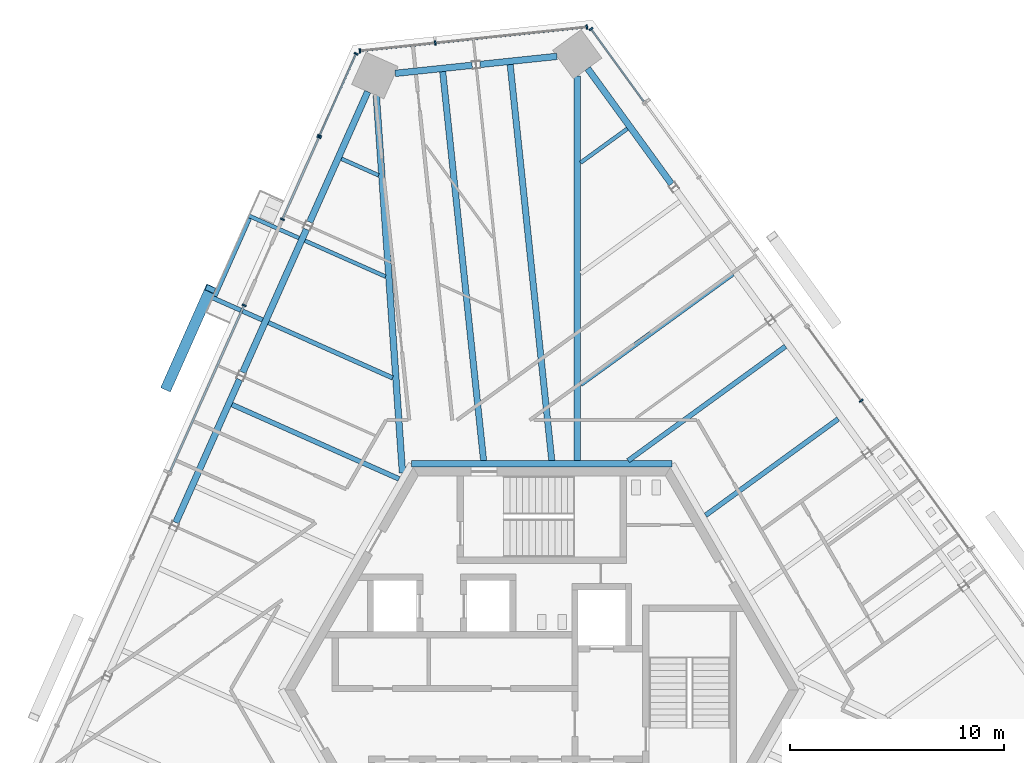
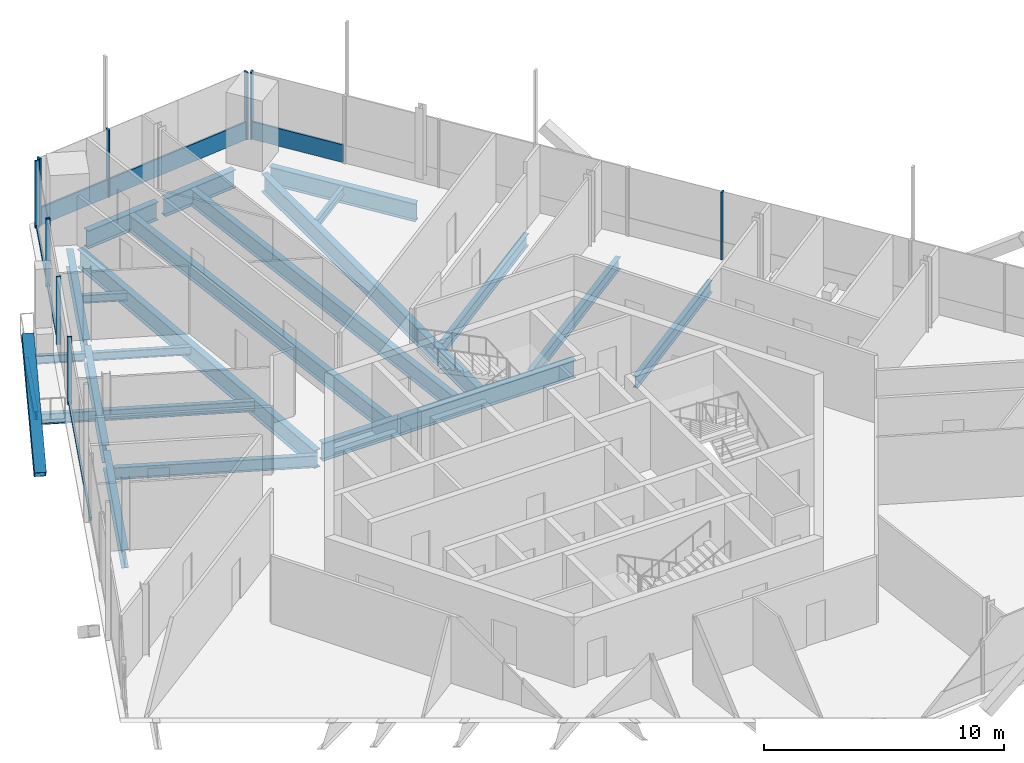
# One storey, part 8 of 21: 22 beams, 17 members, 6 elements without a shape of their own.
"""IFC4 building model written with IfcOpenShell, lengths in metres."""

import ifcopenshell
import ifcopenshell.guid

model = None  # the IFC model being written
_history = None  # IfcOwnerHistory: only IFC2X3 demands one
_inside = {}  # id of a spatial element -> (the spatial element, [elements in it])
_under = {}  # id of a project, library or spatial element -> (it, [spatial elements below it])
_declared = {}  # id of a project -> (the project, [libraries it declares])
_typed = {}  # id of a type object -> (the type object, [elements of that type])
_made_of = {}  # id of a material, layer set ... -> (it, [elements and type objects made of it])


def new_model(schema):
    """Start an empty IFC model of exactly this schema.

    Asked for "IFC4X3", IfcOpenShell would pick the latest addendum, in which some entities
    have other attributes; the version numbers below select the first issue.
    IFC2X3 requires an IfcOwnerHistory on every rooted entity: one is made here for all.
    """
    global model, _history
    if schema == "IFC4X3":
        model = ifcopenshell.file(schema_version=(4, 3, 0, 0))
    else:
        model = ifcopenshell.file(schema=schema)
    _inside.clear()
    _under.clear()
    _declared.clear()
    _typed.clear()
    _made_of.clear()
    _history = None
    if model.schema == "IFC2X3":
        org = make("IfcOrganization", Name="unknown")
        user = make(
            "IfcPersonAndOrganization",
            ThePerson=make("IfcPerson", FamilyName="unknown"),
            TheOrganization=org,
        )
        app = make(
            "IfcApplication",
            ApplicationDeveloper=org,
            Version="unknown",
            ApplicationFullName="unknown",
            ApplicationIdentifier="unknown",
        )
        _history = make(
            "IfcOwnerHistory",
            OwningUser=user,
            OwningApplication=app,
            ChangeAction="ADDED",
            CreationDate=0,
        )
    return model


def make(cls, **values):
    """One entity of the class cls with the attributes given. An attribute that is None is left unset."""
    return model.create_entity(
        cls, **{name: value for name, value in values.items() if value is not None}
    )


def rooted(cls, **values):
    """An entity with a GlobalId (a new one), such as an element, a storey or a relation."""
    return make(cls, GlobalId=ifcopenshell.guid.new(), OwnerHistory=_history, **values)


def si_unit(unit_type, name, prefix=None):
    """IfcSIUnit, for example si_unit("LENGTHUNIT", "METRE", prefix="MILLI")."""
    return make("IfcSIUnit", UnitType=unit_type, Prefix=prefix, Name=name)


def assignment(units):
    """IfcUnitAssignment: the units of a project."""
    return None if units is None else make("IfcUnitAssignment", Units=units)


def point(xyz):
    """IfcCartesianPoint."""
    return None if xyz is None else make("IfcCartesianPoint", Coordinates=xyz)


def direction(xyz):
    """IfcDirection."""
    return None if xyz is None else make("IfcDirection", DirectionRatios=xyz)


def frame(location, z_axis=None, x_axis=None):
    """IfcAxis2Placement3D, a coordinate frame: its origin and axes. An axis left out is left unset."""
    return make(
        "IfcAxis2Placement3D",
        Location=point(location),
        Axis=direction(z_axis),
        RefDirection=direction(x_axis),
    )


def frame_2d(location, x_axis=None):
    """IfcAxis2Placement2D, a coordinate frame in the plane: its origin and x axis."""
    return make(
        "IfcAxis2Placement2D", Location=point(location), RefDirection=direction(x_axis)
    )


def origin():
    """The frame at (0, 0, 0) with its axes left unset."""
    return frame((0.0, 0.0, 0.0))


def origin_2d():
    """The frame at (0, 0) in the plane with its x axis left unset."""
    return frame_2d((0.0, 0.0))


def place(relative_to, where):
    """IfcLocalPlacement: puts the frame where relative to a parent placement (None: the world)."""
    return make(
        "IfcLocalPlacement", PlacementRelTo=relative_to, RelativePlacement=where
    )


def context(
    kind, dimensions, precision=None, world=None, true_north=None, identifier=None
):
    """IfcGeometricRepresentationContext, for example the 3D "Model" context."""
    return make(
        "IfcGeometricRepresentationContext",
        ContextIdentifier=identifier,
        ContextType=kind,
        CoordinateSpaceDimension=dimensions,
        Precision=precision,
        WorldCoordinateSystem=world,
        TrueNorth=true_north,
    )


def subcontext(parent, identifier, kind, view, scale=None):
    """IfcGeometricRepresentationSubContext, for example "Body" below "Model"."""
    return make(
        "IfcGeometricRepresentationSubContext",
        ContextIdentifier=identifier,
        ContextType=kind,
        ParentContext=parent,
        TargetScale=scale,
        TargetView=view,
    )


def project(units=None, contexts=None):
    """IfcProject with its units and contexts."""
    return rooted(
        "IfcProject",
        Name="project",
        RepresentationContexts=contexts,
        UnitsInContext=assignment(units),
    )


def spatial(cls, under=None, at=None, **own):
    """A site, building, storey or space (cls), placed at a placement, below another one or the project."""
    s = rooted(cls, ObjectPlacement=at, **own)
    if under is not None:
        _under.setdefault(under.id(), (under, []))[1].append(s)
    return s


def profile(cls, at=None, kind="AREA", **sizes):
    """A parametric profile (cls). Its sizes go by their IFC names, for example OverallWidth=200.0."""
    return make(cls, ProfileType=kind, Position=at, **sizes)


def rectangle(**sizes):
    """IfcRectangleProfileDef."""
    return profile("IfcRectangleProfileDef", **sizes)


def hollow_rectangle(**sizes):
    """IfcRectangleHollowProfileDef."""
    return profile("IfcRectangleHollowProfileDef", **sizes)


def i_section(**sizes):
    """IfcIShapeProfileDef."""
    return profile("IfcIShapeProfileDef", **sizes)


def extrude(swept, where, along, depth):
    """IfcExtrudedAreaSolid: the profile swept, set in the frame where, extruded along a direction by depth."""
    return make(
        "IfcExtrudedAreaSolid",
        SweptArea=swept,
        Position=where,
        ExtrudedDirection=direction(along),
        Depth=depth,
    )


def shape(context_of_items, identifier, shape_type, items):
    """IfcShapeRepresentation: the items that make up one representation, for example the "Body"."""
    return make(
        "IfcShapeRepresentation",
        ContextOfItems=context_of_items,
        RepresentationIdentifier=identifier,
        RepresentationType=shape_type,
        Items=items,
    )


def source(mapping_origin, context_of_items, identifier, shape_type, items):
    """IfcRepresentationMap: a shape defined once, which mapped items show again and again."""
    return make(
        "IfcRepresentationMap",
        MappingOrigin=mapping_origin,
        MappedRepresentation=shape(context_of_items, identifier, shape_type, items),
    )


def transform(
    local_origin,
    x_axis=None,
    y_axis=None,
    z_axis=None,
    scale=None,
    scale2=None,
    scale3=None,
    uniform=True,
):
    """IfcCartesianTransformationOperator3D, or its non-uniform kind. x_axis, y_axis, z_axis: its Axis1, 2, 3."""
    if uniform:
        return make(
            "IfcCartesianTransformationOperator3D",
            Axis1=direction(x_axis),
            Axis2=direction(y_axis),
            LocalOrigin=point(local_origin),
            Scale=scale,
            Axis3=direction(z_axis),
        )
    return make(
        "IfcCartesianTransformationOperator3DnonUniform",
        Axis1=direction(x_axis),
        Axis2=direction(y_axis),
        LocalOrigin=point(local_origin),
        Scale=scale,
        Axis3=direction(z_axis),
        Scale2=scale2,
        Scale3=scale3,
    )


def mapped(mapping_source, mapping_target):
    """IfcMappedItem: shows the shape of a source again, moved by a transform."""
    return make(
        "IfcMappedItem", MappingSource=mapping_source, MappingTarget=mapping_target
    )


def material(Name=None, Category=None):
    """IfcMaterial."""
    return make("IfcMaterial", Name=Name, Category=Category)


def material_profile(
    of_material, cross_section, Name=None, Category=None, Priority=None
):
    """IfcMaterialProfile: a cross section and its material."""
    return make(
        "IfcMaterialProfile",
        Name=Name,
        Material=of_material,
        Profile=cross_section,
        Priority=Priority,
        Category=Category,
    )


def profile_set(profiles, Name=None, composite=None):
    """IfcMaterialProfileSet."""
    return make(
        "IfcMaterialProfileSet",
        Name=Name,
        MaterialProfiles=profiles,
        CompositeProfile=composite,
    )


def made_of(thing, what):
    """Note that an element or type object is made of a material, layer set ...; save() writes the relation."""
    if what is not None:
        _made_of.setdefault(what.id(), (what, []))[1].append(thing)
    return thing


def type_object(cls, material=None, **own):
    """A type object (cls), such as IfcWallType, which elements share."""
    return made_of(rooted(cls, **own), material)


def element(
    cls,
    number,
    at=None,
    inside=None,
    cuts=None,
    type_object=None,
    material=None,
    context=None,
    identifier="Body",
    shape_type=None,
    held_by="IfcProductDefinitionShape",
    body=None,
    shapes=None,
    **own,
):
    """One element of the class cls, such as IfcWall. Its Tag is "e" and its number.

    at: its placement. inside: the storey or other place that contains it. cuts: it is an
    opening in that element (IfcRelVoidsElement). A single representation is given by context,
    identifier, shape_type and body (its items); several are given by shapes. held_by: the class
    of the entity that holds the representations. save() writes the other relations.
    """
    e = rooted(cls, Tag="e%d" % number, ObjectPlacement=at, **own)
    if body is not None:
        shapes = [shape(context, identifier, shape_type, body)]
    if shapes is not None:
        e.Representation = make(held_by, Representations=shapes)
    if inside is not None:
        _inside.setdefault(inside.id(), (inside, []))[1].append(e)
    if cuts is not None:
        rooted(
            "IfcRelVoidsElement", RelatingBuildingElement=cuts, RelatedOpeningElement=e
        )
    if type_object is not None:
        _typed.setdefault(type_object.id(), (type_object, []))[1].append(e)
    return made_of(e, material)


def aggregate(whole, parts):
    """IfcRelAggregates: a whole, such as a stair, and the parts it consists of."""
    return rooted("IfcRelAggregates", RelatingObject=whole, RelatedObjects=parts)


def save(model, path):
    """Write the relations noted so far, then the file.

    IfcRelAggregates (storeys below a building ...), IfcRelContainedInSpatialStructure (elements
    in a storey), IfcRelDefinesByType, IfcRelAssociatesMaterial and IfcRelDeclares: one each for
    every whole, place, type object, material and project.
    """
    for whole, parts in _under.values():
        aggregate(whole, parts)
    for where, things in _inside.values():
        rooted(
            "IfcRelContainedInSpatialStructure",
            RelatedElements=things,
            RelatingStructure=where,
        )
    for kind, things in _typed.values():
        rooted("IfcRelDefinesByType", RelatedObjects=things, RelatingType=kind)
    for what, things in _made_of.values():
        rooted("IfcRelAssociatesMaterial", RelatedObjects=things, RelatingMaterial=what)
    for by, libraries in _declared.values():
        rooted("IfcRelDeclares", RelatingContext=by, RelatedDefinitions=libraries)
    model.write(path)


model = new_model("IFC4")

# Units and contexts
model_context = context("Model", 3, precision=1e-05, world=origin(), true_north=direction((0.0, 1.0)))
body_context = subcontext(model_context, "Body", "Model", "MODEL_VIEW")
ifc_project = project(units=[si_unit("LENGTHUNIT", "METRE"), si_unit("AREAUNIT", "SQUARE_METRE"), si_unit("VOLUMEUNIT", "CUBIC_METRE"), si_unit("PLANEANGLEUNIT", "RADIAN"), si_unit("MASSUNIT", "GRAM", prefix="KILO")], contexts=[model_context])

# Site, building, storey
site_placement = place(None, origin())
site = spatial("IfcSite", under=ifc_project, at=site_placement, CompositionType="ELEMENT")
building_placement = place(site_placement, origin())
building = spatial("IfcBuilding", under=site, at=building_placement, Name="Triune Harvest Tower", CompositionType="ELEMENT")
storey_placement = place(building_placement, frame((0.0, 0.0, 241.300048828125)))
storey = spatial("IfcBuildingStorey", under=building, at=storey_placement, Name="L63", CompositionType="ELEMENT", Elevation=241.300048828125)

# Beams
ifc_material_1 = material(Name="Steel ASTM A992 Gr 50", Category="steel")
ifc_material_profile_1 = material_profile(ifc_material_1, i_section(OverallWidth=0.180908203125, OverallDepth=0.41650390625, WebThickness=0.010986328125, FlangeThickness=0.01806640625, at=origin_2d()), Name="W16x57")
ifc_profile_set_1 = profile_set([ifc_material_profile_1], Name="Steel ASTM A992 Gr 50")
beam_type_1 = type_object("IfcBeamType", Name="BE-1 balcony edge beam W16x57", PredefinedType="BEAM", material=ifc_profile_set_1)
beam_1_placement = place(storey_placement, frame((-15.262451171875, 18.373291015625, -0.368408203125), z_axis=(0.406756694738, 0.913536529803, 0.0), x_axis=(-0.913536529803, 0.406756694738, 0.0)))
element("IfcBeam", 1, at=beam_1_placement, inside=storey, type_object=beam_type_1, Name="Balcony edge beam B6-F3 L63.3", PredefinedType="BEAM", context=body_context, shape_type="SweptSolid", body=[
    extrude(i_section(OverallWidth=0.180908203125, OverallDepth=0.41650390625, WebThickness=0.010986328125, FlangeThickness=0.01806640625, at=origin_2d()), origin(), (0.0, 0.0, 1.0), 3.9931640625),
])
ifc_material_2 = material(Name="Steel ASTM A992 Gr 50", Category="steel")
ifc_material_profile_2 = material_profile(ifc_material_2, i_section(OverallWidth=0.180908203125, OverallDepth=0.41650390625, WebThickness=0.010986328125, FlangeThickness=0.01806640625, at=origin_2d()), Name="W16x57")
ifc_profile_set_2 = profile_set([ifc_material_profile_2], Name="Steel ASTM A992 Gr 50")
beam_type_2 = type_object("IfcBeamType", Name="BJ-1 Balcony cantilever joist W16x57", PredefinedType="JOIST", material=ifc_profile_set_2)
beam_2_placement = place(storey_placement, frame((-11.33984375, 21.096923828125, -0.368408203125), z_axis=(-0.913548492099, 0.406729827507, 0.0), x_axis=(-0.406729827507, -0.913548492099, 0.0)))
element("IfcBeam", 2, at=beam_2_placement, inside=storey, type_object=beam_type_2, Name="Balcony cantilever joist B6-F3 L63.3a", PredefinedType="JOIST", context=body_context, shape_type="SweptSolid", body=[
    extrude(i_section(OverallWidth=0.180908203125, OverallDepth=0.41650390625, WebThickness=0.010986328125, FlangeThickness=0.01806640625, at=origin_2d()), origin(), (0.0, 0.0, 1.0), 2.566162109375),
])
ifc_material_3 = material(Name="Steel ASTM A992 Gr 50", Category="steel")
ifc_material_profile_3 = material_profile(ifc_material_3, i_section(OverallWidth=0.2099609375, OverallDepth=0.535888671875, WebThickness=0.010986328125, FlangeThickness=0.017333984375, at=origin_2d()), Name="W21x68")
ifc_profile_set_3 = profile_set([ifc_material_profile_3], Name="Steel ASTM A992 Gr 50")
beam_type_3 = type_object("IfcBeamType", Name="BJ-2 Balcony cantilever joist W21x68", PredefinedType="JOIST", material=ifc_profile_set_3)
beam_3_placement = place(storey_placement, frame((-13.04345703125, 17.2705078125, -0.427978515625), z_axis=(-0.913548492099, 0.406729827507, 0.0), x_axis=(-0.406729827507, -0.913548492099, 0.0)))
element("IfcBeam", 3, at=beam_3_placement, inside=storey, type_object=beam_type_3, Name="Balcony cantilever joist B6-F3 L63.3b", PredefinedType="JOIST", context=body_context, shape_type="SweptSolid", body=[
    extrude(i_section(OverallWidth=0.2099609375, OverallDepth=0.535888671875, WebThickness=0.010986328125, FlangeThickness=0.017333984375, at=origin_2d()), origin(), (0.0, 0.0, 1.0), 2.566162109375),
])
ifc_material_4 = material(Name="Steel ASTM A992 Gr 50", Category="steel")
ifc_material_profile_4 = material_profile(ifc_material_4, i_section(OverallWidth=0.3046875, OverallDepth=0.914306640625, WebThickness=0.0166015625, FlangeThickness=0.02587890625, at=origin_2d()), Name="W36x160")
ifc_profile_set_4 = profile_set([ifc_material_profile_4], Name="Steel ASTM A992 Gr 50")
beam_type_4 = type_object("IfcBeamType", Name="CG-1 Core ring girder W36x160", PredefinedType="BEAM", material=ifc_profile_set_4)
shared_shape_1 = source(origin(), body_context, "Body", "SweptSolid", [
    extrude(i_section(OverallWidth=0.3046875, OverallDepth=0.914306640625, WebThickness=0.0166015625, FlangeThickness=0.02587890625, at=origin_2d()), origin(), (0.0, 0.0, 1.0), 12.17578125),
])
beam_4_placement = place(storey_placement, frame((6.087890625, 10.544677734375, -0.6171875), z_axis=(-1.0, 0.0, 0.0), x_axis=(0.0, -1.0, 0.0)))
element("IfcBeam", 4, at=beam_4_placement, inside=storey, type_object=beam_type_4, Name="beam/L63/CG2", PredefinedType="BEAM", context=body_context, shape_type="MappedRepresentation", body=[
    mapped(shared_shape_1, transform((0.0, 0.0, 0.0), scale=1.0)),
])
ifc_material_5 = material(Name="Steel ASTM A992 Gr 50", Category="steel")
ifc_material_profile_5 = material_profile(ifc_material_5, i_section(OverallWidth=0.3046875, OverallDepth=0.914306640625, WebThickness=0.0166015625, FlangeThickness=0.02587890625, at=origin_2d()), Name="W36x160")
ifc_profile_set_5 = profile_set([ifc_material_profile_5], Name="Steel ASTM A992 Gr 50")
beam_type_5 = type_object("IfcBeamType", Name="SB-1 Spandrel beam W36x160", PredefinedType="SPANDREL", material=ifc_profile_set_5)
shared_shape_2 = source(origin(), body_context, "Body", "SweptSolid", [
    extrude(i_section(OverallWidth=0.3046875, OverallDepth=0.914306640625, WebThickness=0.0166015625, FlangeThickness=0.02587890625, at=origin_2d()), origin(), (0.0, 0.0, 1.0), 6.67041015625),
])
beam_5_placement = place(storey_placement, frame((6.06396484375, 23.617919921875, -0.6171875), z_axis=(-0.587797324645, 0.80900822316, 0.0), x_axis=(-0.80900822316, -0.587797324645, 0.0)))
element("IfcBeam", 5, at=beam_5_placement, inside=storey, type_object=beam_type_5, Name="beam/L63/SB6", PredefinedType="SPANDREL", context=body_context, shape_type="MappedRepresentation", body=[
    mapped(shared_shape_2, transform((0.0, 0.0, 0.0), scale=1.0)),
])
shared_shape_3 = source(origin(), body_context, "Body", "SweptSolid", [
    extrude(i_section(OverallWidth=0.3046875, OverallDepth=0.914306640625, WebThickness=0.0166015625, FlangeThickness=0.02587890625, at=origin_2d()), origin(), (0.0, 0.0, 1.0), 7.31103515625),
])
beam_6_placement = place(storey_placement, frame((-14.114990234375, 14.489013671875, -0.6171875), z_axis=(-0.406761135511, -0.913534552514, 0.0), x_axis=(0.913534552514, -0.406761135511, 0.0)))
element("IfcBeam", 6, at=beam_6_placement, inside=storey, type_object=beam_type_5, Name="beam/L63/SB11", PredefinedType="SPANDREL", context=body_context, shape_type="MappedRepresentation", body=[
    mapped(shared_shape_3, transform((0.0, 0.0, 0.0), scale=1.0)),
])
shared_shape_4 = source(origin(), body_context, "Body", "SweptSolid", [
    extrude(i_section(OverallWidth=0.3046875, OverallDepth=0.914306640625, WebThickness=0.0166015625, FlangeThickness=0.02587890625, at=origin_2d()), origin(), (0.0, 0.0, 1.0), 3.614990234375),
])
for number, where, z_axis, x_axis, name in (
    (7, (0.710693359375, 29.58203125, -0.6171875), (-0.994520245169, -0.104544162673, 0.0), (0.104544162673, -0.994520245169, 0.0), "beam/L63/SB7"),
    (8, (-3.25048828125, 29.165771484375, -0.6171875), (-0.994520245169, -0.104544162673, 0.0), (0.104544162673, -0.994520245169, 0.0), "beam/L63/SB8"),
):
    element("IfcBeam", number, at=place(storey_placement, frame(where, z_axis=z_axis, x_axis=x_axis)), inside=storey, type_object=beam_type_5, Name=name, PredefinedType="SPANDREL", context=body_context, shape_type="MappedRepresentation", body=[
        mapped(shared_shape_4, transform((0.0, 0.0, 0.0), scale=1.0)),
    ])
shared_shape_5 = source(origin(), body_context, "Body", "SweptSolid", [
    extrude(i_section(OverallWidth=0.3046875, OverallDepth=0.914306640625, WebThickness=0.0166015625, FlangeThickness=0.02587890625, at=origin_2d()), origin(), (0.0, 0.0, 1.0), 6.670166015625),
])
beam_7_placement = place(storey_placement, frame((-8.128662109375, 27.9345703125, -0.6171875), z_axis=(-0.406753053854, -0.913538150917, 0.0), x_axis=(0.913538150917, -0.406753053854, 0.0)))
element("IfcBeam", 9, at=beam_7_placement, inside=storey, type_object=beam_type_5, Name="beam/L63/SB9", PredefinedType="SPANDREL", context=body_context, shape_type="MappedRepresentation", body=[
    mapped(shared_shape_5, transform((0.0, 0.0, 0.0), scale=1.0)),
])
shared_shape_6 = source(origin(), body_context, "Body", "SweptSolid", [
    extrude(i_section(OverallWidth=0.3046875, OverallDepth=0.914306640625, WebThickness=0.0166015625, FlangeThickness=0.02587890625, at=origin_2d()), origin(), (0.0, 0.0, 1.0), 7.311279296875),
])
beam_8_placement = place(storey_placement, frame((-10.991455078125, 21.504638671875, -0.6171875), z_axis=(-0.406720859208, -0.91355248491, 0.0), x_axis=(0.91355248491, -0.406720859208, 0.0)))
element("IfcBeam", 10, at=beam_8_placement, inside=storey, type_object=beam_type_5, Name="beam/L63/SB10", PredefinedType="SPANDREL", context=body_context, shape_type="MappedRepresentation", body=[
    mapped(shared_shape_6, transform((0.0, 0.0, 0.0), scale=1.0)),
])
ifc_material_6 = material(Name="Steel ASTM A992 Gr 50", Category="steel")
ifc_material_profile_6 = material_profile(ifc_material_6, i_section(OverallWidth=0.3046875, OverallDepth=0.914306640625, WebThickness=0.0166015625, FlangeThickness=0.02587890625, at=origin_2d()), Name="W36x160")
ifc_profile_set_6 = profile_set([ifc_material_profile_6], Name="Steel ASTM A992 Gr 50")
beam_type_6 = type_object("IfcBeamType", Name="HG-3 Hip girder W36x160", PredefinedType="BEAM", material=ifc_profile_set_6)
shared_shape_7 = source(origin(), body_context, "Body", "SweptSolid", [
    extrude(i_section(OverallWidth=0.3046875, OverallDepth=0.914306640625, WebThickness=0.0166015625, FlangeThickness=0.02587890625, at=origin_2d()), origin(), (0.0, 0.0, 1.0), 17.96484375),
])
beam_9_placement = place(storey_placement, frame((1.658203125, 28.661865234375, -0.6171875), z_axis=(0.0, -1.0, 0.0), x_axis=(1.0, 0.0, 0.0)))
element("IfcBeam", 11, at=beam_9_placement, inside=storey, type_object=beam_type_6, Name="beam/L63/HG3", PredefinedType="BEAM", context=body_context, shape_type="MappedRepresentation", body=[
    mapped(shared_shape_7, transform((0.0, 0.0, 0.0), scale=1.0)),
])
shared_shape_8 = source(origin(), body_context, "Body", "SweptSolid", [
    extrude(i_section(OverallWidth=0.3046875, OverallDepth=0.914306640625, WebThickness=0.0166015625, FlangeThickness=0.02587890625, at=origin_2d()), origin(), (0.0, 0.0, 1.0), 17.6748046875),
])
beam_10_placement = place(storey_placement, frame((-7.728515625, 27.756591796875, -0.6171875), z_axis=(0.069119702871, -0.997608373399, 0.0), x_axis=(0.997608373399, 0.069119702871, 0.0)))
element("IfcBeam", 12, at=beam_10_placement, inside=storey, type_object=beam_type_6, Name="beam/L63/HG4", PredefinedType="BEAM", context=body_context, shape_type="MappedRepresentation", body=[
    mapped(shared_shape_8, transform((0.0, 0.0, 0.0), scale=1.0)),
])
ifc_material_7 = material(Name="Steel ASTM A992 Gr 50", Category="steel")
ifc_material_profile_7 = material_profile(ifc_material_7, i_section(OverallWidth=0.2099609375, OverallDepth=0.535888671875, WebThickness=0.010986328125, FlangeThickness=0.017333984375, at=origin_2d()), Name="W21x68")
ifc_profile_set_7 = profile_set([ifc_material_profile_7], Name="Steel ASTM A992 Gr 50")
beam_type_7 = type_object("IfcBeamType", Name="JT-2 Floor joist W21x68", PredefinedType="JOIST", material=ifc_profile_set_7)
shared_shape_9 = source(origin(), body_context, "Body", "SweptSolid", [
    extrude(i_section(OverallWidth=0.2099609375, OverallDepth=0.535888671875, WebThickness=0.010986328125, FlangeThickness=0.017333984375, at=origin_2d()), origin(), (0.0, 0.0, 1.0), 6.346435546875),
])
beam_11_placement = place(storey_placement, frame((-12.76513671875, 17.146484375, -0.427978515625), z_axis=(0.913549614508, -0.406727306476, 0.0), x_axis=(0.406727306476, 0.913549614508, 0.0)))
element("IfcBeam", 13, at=beam_11_placement, inside=storey, type_object=beam_type_7, Name="beam/L63/JT15", PredefinedType="JOIST", context=body_context, shape_type="MappedRepresentation", body=[
    mapped(shared_shape_9, transform((0.0, 0.0, 0.0), scale=1.0)),
])
ifc_material_8 = material(Name="Steel ASTM A992 Gr 50", Category="steel")
ifc_material_profile_8 = material_profile(ifc_material_8, i_section(OverallWidth=0.22900390625, OverallDepth=0.612060546875, WebThickness=0.011962890625, FlangeThickness=0.01953125, at=origin_2d()), Name="W24x84")
ifc_profile_set_8 = profile_set([ifc_material_profile_8], Name="Steel ASTM A992 Gr 50")
beam_type_8 = type_object("IfcBeamType", Name="JT-3 Floor joist W24x84", PredefinedType="JOIST", material=ifc_profile_set_8)
shared_shape_10 = source(origin(), body_context, "Body", "SweptSolid", [
    extrude(i_section(OverallWidth=0.22900390625, OverallDepth=0.612060546875, WebThickness=0.011962890625, FlangeThickness=0.01953125, at=origin_2d()), origin(), (0.0, 0.0, 1.0), 7.659423828125),
])
beam_12_placement = place(storey_placement, frame((13.845458984375, 12.648193359375, -0.466064453125), z_axis=(-0.809007534686, -0.587798272217, 0.0), x_axis=(0.587798272217, -0.809007534686, 0.0)))
element("IfcBeam", 14, at=beam_12_placement, inside=storey, type_object=beam_type_8, Name="beam/L63/JT6", PredefinedType="JOIST", context=body_context, shape_type="MappedRepresentation", body=[
    mapped(shared_shape_10, transform((0.0, 0.0, 0.0), scale=1.0)),
])
shared_shape_11 = source(origin(), body_context, "Body", "SweptSolid", [
    extrude(i_section(OverallWidth=0.22900390625, OverallDepth=0.612060546875, WebThickness=0.011962890625, FlangeThickness=0.01953125, at=origin_2d()), origin(), (0.0, 0.0, 1.0), 9.084716796875),
])
beam_13_placement = place(storey_placement, frame((11.38330078125, 16.036865234375, -0.466064453125), z_axis=(-0.809014901919, -0.5877881323, 0.0), x_axis=(0.5877881323, -0.809014901919, 0.0)))
element("IfcBeam", 15, at=beam_13_placement, inside=storey, type_object=beam_type_8, Name="beam/L63/JT7", PredefinedType="JOIST", context=body_context, shape_type="MappedRepresentation", body=[
    mapped(shared_shape_11, transform((0.0, 0.0, 0.0), scale=1.0)),
])
shared_shape_12 = source(origin(), body_context, "Body", "SweptSolid", [
    extrude(i_section(OverallWidth=0.22900390625, OverallDepth=0.612060546875, WebThickness=0.011962890625, FlangeThickness=0.01953125, at=origin_2d()), origin(), (0.0, 0.0, 1.0), 8.789306640625),
])
beam_14_placement = place(storey_placement, frame((8.921142578125, 19.42578125, -0.466064453125), z_axis=(-0.809011065255, -0.587793412939, 0.0), x_axis=(0.587793412939, -0.809011065255, 0.0)))
element("IfcBeam", 16, at=beam_14_placement, inside=storey, type_object=beam_type_8, Name="beam/L63/JT8", PredefinedType="JOIST", context=body_context, shape_type="MappedRepresentation", body=[
    mapped(shared_shape_12, transform((0.0, 0.0, 0.0), scale=1.0)),
])
ifc_material_9 = material(Name="Steel ASTM A992 Gr 50", Category="steel")
ifc_material_profile_9 = material_profile(ifc_material_9, i_section(OverallWidth=0.180908203125, OverallDepth=0.41650390625, WebThickness=0.010986328125, FlangeThickness=0.01806640625, at=origin_2d()), Name="W16x57")
ifc_profile_set_9 = profile_set([ifc_material_profile_9], Name="Steel ASTM A992 Gr 50")
beam_type_9 = type_object("IfcBeamType", Name="JT-1 Floor joist W16x57", PredefinedType="JOIST", material=ifc_profile_set_9)
shared_shape_13 = source(origin(), body_context, "Body", "SweptSolid", [
    extrude(i_section(OverallWidth=0.180908203125, OverallDepth=0.41650390625, WebThickness=0.010986328125, FlangeThickness=0.01806640625, at=origin_2d()), origin(), (0.0, 0.0, 1.0), 2.70263671875),
])
beam_15_placement = place(storey_placement, frame((3.9970703125, 26.203369140625, -0.368408203125), z_axis=(-0.809013338029, -0.587790284788, 0.0), x_axis=(0.587790284788, -0.809013338029, 0.0)))
element("IfcBeam", 17, at=beam_15_placement, inside=storey, type_object=beam_type_9, Name="beam/L63/JT10", PredefinedType="JOIST", context=body_context, shape_type="MappedRepresentation", body=[
    mapped(shared_shape_13, transform((0.0, 0.0, 0.0), scale=1.0)),
])
ifc_material_10 = material(Name="Steel ASTM A992 Gr 50", Category="steel")
ifc_material_profile_10 = material_profile(ifc_material_10, i_section(OverallWidth=0.2919921875, OverallDepth=0.8408203125, WebThickness=0.0146484375, FlangeThickness=0.021728515625, at=origin_2d()), Name="W33x130")
ifc_profile_set_10 = profile_set([ifc_material_profile_10], Name="Steel ASTM A992 Gr 50")
beam_type_10 = type_object("IfcBeamType", Name="JT-6 Floor joist W33x130", PredefinedType="JOIST", material=ifc_profile_set_10)
shared_shape_14 = source(origin(), body_context, "Body", "SweptSolid", [
    extrude(i_section(OverallWidth=0.2919921875, OverallDepth=0.8408203125, WebThickness=0.0146484375, FlangeThickness=0.021728515625, at=origin_2d()), origin(), (0.0, 0.0, 1.0), 18.60400390625),
])
beam_16_placement = place(storey_placement, frame((-1.476318359375, 29.198974609375, -0.58056640625), z_axis=(0.104538595675, -0.994520830357, 0.0), x_axis=(0.994520830357, 0.104538595675, 0.0)))
element("IfcBeam", 18, at=beam_16_placement, inside=storey, type_object=beam_type_10, Name="beam/L63/JT11", PredefinedType="JOIST", context=body_context, shape_type="MappedRepresentation", body=[
    mapped(shared_shape_14, transform((0.0, 0.0, 0.0), scale=1.0)),
])
shared_shape_15 = source(origin(), body_context, "Body", "SweptSolid", [
    extrude(i_section(OverallWidth=0.2919921875, OverallDepth=0.8408203125, WebThickness=0.0146484375, FlangeThickness=0.021728515625, at=origin_2d()), origin(), (0.0, 0.0, 1.0), 18.27099609375),
])
beam_17_placement = place(storey_placement, frame((-4.626708984375, 28.867919921875, -0.58056640625), z_axis=(0.104532454263, -0.99452147589, 0.0), x_axis=(0.99452147589, 0.104532454263, 0.0)))
element("IfcBeam", 19, at=beam_17_placement, inside=storey, type_object=beam_type_10, Name="beam/L63/JT12", PredefinedType="JOIST", context=body_context, shape_type="MappedRepresentation", body=[
    mapped(shared_shape_15, transform((0.0, 0.0, 0.0), scale=1.0)),
])
shared_shape_16 = source(origin(), body_context, "Body", "SweptSolid", [
    extrude(i_section(OverallWidth=0.180908203125, OverallDepth=0.41650390625, WebThickness=0.010986328125, FlangeThickness=0.01806640625, at=origin_2d()), origin(), (0.0, 0.0, 1.0), 1.899169921875),
])
beam_18_placement = place(storey_placement, frame((-9.357666015625, 24.7998046875, -0.368408203125), z_axis=(0.913535666592, -0.406758633422, 0.0), x_axis=(0.406758633422, 0.913535666592, 0.0)))
element("IfcBeam", 20, at=beam_18_placement, inside=storey, type_object=beam_type_9, Name="beam/L63/JT13", PredefinedType="JOIST", context=body_context, shape_type="MappedRepresentation", body=[
    mapped(shared_shape_16, transform((0.0, 0.0, 0.0), scale=1.0)),
])
shared_shape_17 = source(origin(), body_context, "Body", "SweptSolid", [
    extrude(i_section(OverallWidth=0.180908203125, OverallDepth=0.41650390625, WebThickness=0.010986328125, FlangeThickness=0.01806640625, at=origin_2d()), origin(), (0.0, 0.0, 1.0), 4.12255859375),
])
beam_19_placement = place(storey_placement, frame((-11.061279296875, 20.972900390625, -0.368408203125), z_axis=(0.913547607509, -0.406731814363, 0.0), x_axis=(0.406731814363, 0.913547607509, 0.0)))
element("IfcBeam", 21, at=beam_19_placement, inside=storey, type_object=beam_type_9, Name="beam/L63/JT14", PredefinedType="JOIST", context=body_context, shape_type="MappedRepresentation", body=[
    mapped(shared_shape_17, transform((0.0, 0.0, 0.0), scale=1.0)),
])
shared_shape_18 = source(origin(), body_context, "Body", "SweptSolid", [
    extrude(i_section(OverallWidth=0.22900390625, OverallDepth=0.612060546875, WebThickness=0.011962890625, FlangeThickness=0.01953125, at=origin_2d()), origin(), (0.0, 0.0, 1.0), 8.539794921875),
])
beam_20_placement = place(storey_placement, frame((-14.46875, 13.319580078125, -0.466064453125), z_axis=(0.913548460016, -0.406729899567, 0.0), x_axis=(0.406729899567, 0.913548460016, 0.0)))
element("IfcBeam", 22, at=beam_20_placement, inside=storey, type_object=beam_type_8, Name="beam/L63/JT16", PredefinedType="JOIST", context=body_context, shape_type="MappedRepresentation", body=[
    mapped(shared_shape_18, transform((0.0, 0.0, 0.0), scale=1.0)),
])

# Member
ifc_material_11 = material(Name="Steel ASTM A572 Gr 50", Category="steel")
ifc_material_profile_11 = material_profile(ifc_material_11, hollow_rectangle(XDim=0.5, YDim=0.5, WallThickness=0.030029296875, at=origin_2d()), Name="Box 500x500x30")
ifc_profile_set_11 = profile_set([ifc_material_profile_11], Name="Steel ASTM A572 Gr 50")
member_type_1 = type_object("IfcMemberType", Name="BR-3 Brace Box 500x500x30", PredefinedType="BRACE", material=ifc_profile_set_11)
shared_shape_19 = source(origin(), body_context, "Body", "SweptSolid", [
    extrude(hollow_rectangle(XDim=0.5, YDim=0.5, WallThickness=0.030029296875, at=origin_2d()), origin(), (0.0, 0.0, 1.0), 6.170654296875),
])
member_1_placement = place(storey_placement, frame((-17.51611328125, 14.14111328125, 0.0), z_axis=(0.330359661148, 0.741983842536, 0.583371641153), x_axis=(-0.913542177249, 0.406744010879, 0.0)))
element("IfcMember", 23, at=member_1_placement, inside=storey, type_object=member_type_1, Name="brace/B6-F3/d2/7", PredefinedType="BRACE", context=body_context, shape_type="MappedRepresentation", body=[
    mapped(shared_shape_19, transform((0.0, 0.0, 0.0), scale=1.0)),
])

# Curtain wall, member
ifc_material_12 = material(Name="Aluminium bronze anodised", Category="aluminium")
curtain_wall_type_1 = type_object("IfcCurtainWallType", Name="CW-1 Tower stick curtain wall", PredefinedType="NOTDEFINED", material=ifc_material_12)
curtain_wall_1_placement = place(storey_placement, origin())
curtain_wall_1 = element("IfcCurtainWall", 24, at=curtain_wall_1_placement, inside=storey, type_object=curtain_wall_type_1, Name="CW-1 B6-F1 L63 run 2001")
ifc_material_13 = material(Name="Aluminium bronze anodised", Category="aluminium")
ifc_material_profile_12 = material_profile(ifc_material_13, rectangle(XDim=0.199951171875, YDim=0.074951171875, at=origin_2d()), Name="MU-1 mullion 75 x 200")
ifc_profile_set_12 = profile_set([ifc_material_profile_12], Name="Aluminium bronze anodised")
member_type_2 = type_object("IfcMemberType", Name="MU-1 mullion 75 x 200", PredefinedType="MULLION", material=ifc_profile_set_12)
shared_shape_20 = source(origin(), body_context, "Body", "SweptSolid", [
    extrude(rectangle(XDim=0.199951171875, YDim=0.074951171875, at=origin_2d()), origin(), (0.0, 0.0, 1.0), 3.43994140625),
])
member_2_placement = place(storey_placement, frame((14.91943359375, 13.4970703125, 0.0), z_axis=(0.0, 0.0, 1.0), x_axis=(-0.809017576253, -0.587784451405, 0.0)))
member_2 = element("IfcMember", 25, at=member_2_placement, type_object=member_type_2, Name="CW-1 mullion B6-F1 2001.3", PredefinedType="MULLION", context=body_context, shape_type="MappedRepresentation", body=[
    mapped(shared_shape_20, transform((0.0, 0.0, 0.0), scale=1.0)),
])
aggregate(curtain_wall_1, [member_2])

curtain_wall_2_placement = place(storey_placement, origin())
curtain_wall_2 = element("IfcCurtainWall", 26, at=curtain_wall_2_placement, inside=storey, type_object=curtain_wall_type_1, Name="CW-1 B6-F1 L63 run 4001")
member_3_placement = place(storey_placement, frame((2.303955078125, 30.86083984375, 0.0), z_axis=(0.0, 0.0, 1.0), x_axis=(-0.809015722642, -0.587787002678, 0.0)))
member_3 = element("IfcMember", 27, at=member_3_placement, type_object=member_type_2, Name="CW-1 mullion B6-F1 4001.2", PredefinedType="MULLION", context=body_context, shape_type="MappedRepresentation", body=[
    mapped(shared_shape_20, transform((0.0, 0.0, 0.0), scale=1.0)),
])

# Curtain wall, members
curtain_wall_3_placement = place(storey_placement, origin())
curtain_wall_3 = element("IfcCurtainWall", 28, at=curtain_wall_3_placement, inside=storey, type_object=curtain_wall_type_1, Name="CW-1 B6-F2 L63 run 1")
member_4_placement = place(storey_placement, frame((2.102294921875, 30.95068359375, 0.0), z_axis=(0.0, 0.0, 1.0), x_axis=(0.104529672907, -0.994521768229, 0.0)))
member_4 = element("IfcMember", 29, at=member_4_placement, type_object=member_type_2, Name="CW-1 mullion B6-F2 1.1", PredefinedType="MULLION", context=body_context, shape_type="MappedRepresentation", body=[
    mapped(shared_shape_20, transform((0.0, 0.0, 0.0), scale=1.0)),
])
member_5_placement = place(storey_placement, frame((-4.972412109375, 30.20703125, 0.0), z_axis=(0.0, 0.0, 1.0), x_axis=(0.104529672907, -0.994521768229, 0.0)))
member_5 = element("IfcMember", 30, at=member_5_placement, type_object=member_type_2, Name="CW-1 mullion B6-F2 1.3", PredefinedType="MULLION", context=body_context, shape_type="MappedRepresentation", body=[
    mapped(shared_shape_20, transform((0.0, 0.0, 0.0), scale=1.0)),
])
member_6_placement = place(storey_placement, frame((-8.4912109375, 29.837158203125, 0.0), z_axis=(0.0, 0.0, 1.0), x_axis=(0.104529672907, -0.994521768229, 0.0)))
member_6 = element("IfcMember", 31, at=member_6_placement, type_object=member_type_2, Name="CW-1 mullion B6-F2 1.4", PredefinedType="MULLION", context=body_context, shape_type="MappedRepresentation", body=[
    mapped(shared_shape_20, transform((0.0, 0.0, 0.0), scale=1.0)),
])

ifc_material_14 = material(Name="Aluminium bronze anodised", Category="aluminium")
curtain_wall_type_2 = type_object("IfcCurtainWallType", Name="CW-6 Balcony window wall", PredefinedType="NOTDEFINED", material=ifc_material_14)
curtain_wall_4_placement = place(storey_placement, origin())
curtain_wall_4 = element("IfcCurtainWall", 32, at=curtain_wall_4_placement, inside=storey, type_object=curtain_wall_type_2, Name="CW-6 B6-F3 L63 run 1")
ifc_material_15 = material(Name="Aluminium bronze anodised", Category="aluminium")
ifc_material_profile_13 = material_profile(ifc_material_15, rectangle(XDim=0.199951171875, YDim=0.074951171875, at=origin_2d()), Name="MU-6 mullion 75 x 200")
ifc_profile_set_13 = profile_set([ifc_material_profile_13], Name="Aluminium bronze anodised")
member_type_3 = type_object("IfcMemberType", Name="MU-6 mullion 75 x 200", PredefinedType="MULLION", material=ifc_profile_set_13)
shared_shape_21 = source(origin(), body_context, "Body", "SweptSolid", [
    extrude(rectangle(XDim=0.199951171875, YDim=0.074951171875, at=origin_2d()), origin(), (0.0, 0.0, 1.0), 3.43994140625),
])
member_7_placement = place(storey_placement, frame((-8.669921875, 29.707275390625, 0.0), z_axis=(0.0, 0.0, 1.0), x_axis=(0.913547613961, -0.40673179987, 0.0)))
member_7 = element("IfcMember", 33, at=member_7_placement, type_object=member_type_3, Name="CW-6 mullion B6-F3 1.1", PredefinedType="MULLION", context=body_context, shape_type="MappedRepresentation", body=[
    mapped(shared_shape_21, transform((0.0, 0.0, 0.0), scale=1.0)),
])
member_8_placement = place(storey_placement, frame((-10.376708984375, 25.873779296875, 0.0), z_axis=(0.0, 0.0, 1.0), x_axis=(0.913547613961, -0.40673179987, 0.0)))
member_8 = element("IfcMember", 34, at=member_8_placement, type_object=member_type_3, Name="CW-6 mullion B6-F3 1.2", PredefinedType="MULLION", context=body_context, shape_type="MappedRepresentation", body=[
    mapped(shared_shape_21, transform((0.0, 0.0, 0.0), scale=1.0)),
])

ifc_material_16 = material(Name="Aluminium bronze anodised", Category="aluminium")
curtain_wall_type_3 = type_object("IfcCurtainWallType", Name="CW-10 Balcony window wall with insulated spandrel infill", PredefinedType="NOTDEFINED", material=ifc_material_16)
curtain_wall_5_placement = place(storey_placement, origin())
curtain_wall_5 = element("IfcCurtainWall", 35, at=curtain_wall_5_placement, inside=storey, type_object=curtain_wall_type_3, Name="CW-10 B6-F3 L63 run 1001")
member_9_placement = place(storey_placement, frame((-10.4072265625, 25.80517578125, 0.0), z_axis=(0.0, 0.0, 1.0), x_axis=(0.91354217118, -0.406744024511, 0.0)))
member_9 = element("IfcMember", 36, at=member_9_placement, type_object=member_type_3, Name="CW-10 mullion B6-F3 1001.1", PredefinedType="MULLION", context=body_context, shape_type="MappedRepresentation", body=[
    mapped(shared_shape_21, transform((0.0, 0.0, 0.0), scale=1.0)),
])
member_10_placement = place(storey_placement, frame((-12.114013671875, 21.9716796875, 0.0), z_axis=(0.0, 0.0, 1.0), x_axis=(0.91354217118, -0.406744024511, 0.0)))
member_10 = element("IfcMember", 37, at=member_10_placement, type_object=member_type_3, Name="CW-10 mullion B6-F3 1001.2", PredefinedType="MULLION", context=body_context, shape_type="MappedRepresentation", body=[
    mapped(shared_shape_21, transform((0.0, 0.0, 0.0), scale=1.0)),
])

# Curtain wall, member
curtain_wall_6_placement = place(storey_placement, origin())
curtain_wall_6 = element("IfcCurtainWall", 38, at=curtain_wall_6_placement, inside=storey, type_object=curtain_wall_type_3, Name="CW-10 B6-F3 L63 run 2")
member_11_placement = place(storey_placement, frame((-13.900146484375, 17.9599609375, 0.0), z_axis=(0.0, 0.0, 1.0), x_axis=(0.913546375286, -0.406734582009, 0.0)))
member_11 = element("IfcMember", 39, at=member_11_placement, type_object=member_type_3, Name="CW-10 mullion B6-F3 2.1", PredefinedType="MULLION", context=body_context, shape_type="MappedRepresentation", body=[
    mapped(shared_shape_21, transform((0.0, 0.0, 0.0), scale=1.0)),
])

# Member
ifc_material_17 = material(Name="Aluminium bronze anodised", Category="aluminium")
ifc_material_profile_14 = material_profile(ifc_material_17, rectangle(XDim=0.090087890625, YDim=0.89990234375, at=origin_2d()), Name="TR-1 transom 90 x 900")
ifc_profile_set_14 = profile_set([ifc_material_profile_14], Name="Aluminium bronze anodised")
member_type_4 = type_object("IfcMemberType", Name="TR-1 transom 90 x 900", PredefinedType="USERDEFINED", material=ifc_profile_set_14)
shared_shape_22 = source(origin(), body_context, "Body", "SweptSolid", [
    extrude(rectangle(XDim=0.090087890625, YDim=0.89990234375, at=origin_2d()), origin(), (0.0, 0.0, 1.0), 7.038818359375),
])
member_12_placement = place(storey_placement, frame((2.06494140625, 30.946533203125, 0.449951171875), z_axis=(-0.994524252306, -0.104506036069, 0.0), x_axis=(0.104506036069, -0.994524252306, 0.0)))
member_12 = element("IfcMember", 40, at=member_12_placement, type_object=member_type_4, Name="CW-1 transom B6-F2 1.1", ObjectType="TRANSOM", PredefinedType="USERDEFINED", context=body_context, shape_type="MappedRepresentation", body=[
    mapped(shared_shape_22, transform((0.0, 0.0, 0.0), scale=1.0)),
])

shared_shape_23 = source(origin(), body_context, "Body", "SweptSolid", [
    extrude(rectangle(XDim=0.090087890625, YDim=0.89990234375, at=origin_2d()), origin(), (0.0, 0.0, 1.0), 3.46337890625),
])
member_13_placement = place(storey_placement, frame((-5.009765625, 30.203125, 0.449951171875), z_axis=(-0.994520506962, -0.10454167223, 0.0), x_axis=(0.10454167223, -0.994520506962, 0.0)))
member_13 = element("IfcMember", 41, at=member_13_placement, type_object=member_type_4, Name="CW-1 transom B6-F2 1.2", ObjectType="TRANSOM", PredefinedType="USERDEFINED", context=body_context, shape_type="MappedRepresentation", body=[
    mapped(shared_shape_23, transform((0.0, 0.0, 0.0), scale=1.0)),
])

aggregate(curtain_wall_3, [member_4, member_5, member_6, member_12, member_13])

ifc_material_18 = material(Name="Aluminium bronze anodised", Category="aluminium")
ifc_material_profile_15 = material_profile(ifc_material_18, rectangle(XDim=0.090087890625, YDim=0.14990234375, at=origin_2d()), Name="TR-6 transom 90 x 150")
ifc_profile_set_15 = profile_set([ifc_material_profile_15], Name="Aluminium bronze anodised")
member_type_5 = type_object("IfcMemberType", Name="TR-6 transom 90 x 150", PredefinedType="USERDEFINED", material=ifc_profile_set_15)
shared_shape_24 = source(origin(), body_context, "Body", "SweptSolid", [
    extrude(rectangle(XDim=0.090087890625, YDim=0.14990234375, at=origin_2d()), origin(), (0.0, 0.0, 1.0), 8.460205078125),
])
member_14_placement = place(storey_placement, frame((-13.91552734375, 17.925537109375, 0.074951171875), z_axis=(-0.40674616828, -0.913541216689, 0.0), x_axis=(0.913541216689, -0.40674616828, 0.0)))
member_14 = element("IfcMember", 42, at=member_14_placement, type_object=member_type_5, Name="CW-10 transom B6-F3 2.1", ObjectType="TRANSOM", PredefinedType="USERDEFINED", context=body_context, shape_type="MappedRepresentation", body=[
    mapped(shared_shape_24, transform((0.0, 0.0, 0.0), scale=1.0)),
])

aggregate(curtain_wall_6, [member_11, member_14])

shared_shape_25 = source(origin(), body_context, "Body", "SweptSolid", [
    extrude(rectangle(XDim=0.090087890625, YDim=0.89990234375, at=origin_2d()), origin(), (0.0, 0.0, 1.0), 4.14990234375),
])
member_15_placement = place(storey_placement, frame((4.765380859375, 27.472900390625, 0.449951171875), z_axis=(-0.587769355718, 0.809028543673, 0.0), x_axis=(-0.809028543673, -0.587769355718, 0.0)))
member_15 = element("IfcMember", 43, at=member_15_placement, type_object=member_type_4, Name="CW-1 transom B6-F1 4001.1", ObjectType="TRANSOM", PredefinedType="USERDEFINED", context=body_context, shape_type="MappedRepresentation", body=[
    mapped(shared_shape_25, transform((0.0, 0.0, 0.0), scale=1.0)),
])

aggregate(curtain_wall_2, [member_3, member_15])

shared_shape_26 = source(origin(), body_context, "Body", "SweptSolid", [
    extrude(rectangle(XDim=0.090087890625, YDim=0.14990234375, at=origin_2d()), origin(), (0.0, 0.0, 1.0), 4.121337890625),
])
member_16_placement = place(storey_placement, frame((-8.685302734375, 29.673095703125, 0.074951171875), z_axis=(-0.406720982089, -0.913552430202, 0.0), x_axis=(0.913552430202, -0.406720982089, 0.0)))
member_16 = element("IfcMember", 44, at=member_16_placement, type_object=member_type_5, Name="CW-6 transom B6-F3 1.1", ObjectType="TRANSOM", PredefinedType="USERDEFINED", context=body_context, shape_type="MappedRepresentation", body=[
    mapped(shared_shape_26, transform((0.0, 0.0, 0.0), scale=1.0)),
])

aggregate(curtain_wall_4, [member_7, member_8, member_16])

member_17_placement = place(storey_placement, frame((-10.422607421875, 25.77099609375, 0.074951171875), z_axis=(-0.406720982089, -0.913552430202, 0.0), x_axis=(0.913552430202, -0.406720982089, 0.0)))
member_17 = element("IfcMember", 45, at=member_17_placement, type_object=member_type_5, Name="CW-10 transom B6-F3 1001.1", ObjectType="TRANSOM", PredefinedType="USERDEFINED", context=body_context, shape_type="MappedRepresentation", body=[
    mapped(shared_shape_26, transform((0.0, 0.0, 0.0), scale=1.0)),
])

aggregate(curtain_wall_5, [member_9, member_10, member_17])

save(model, "model.ifc")
